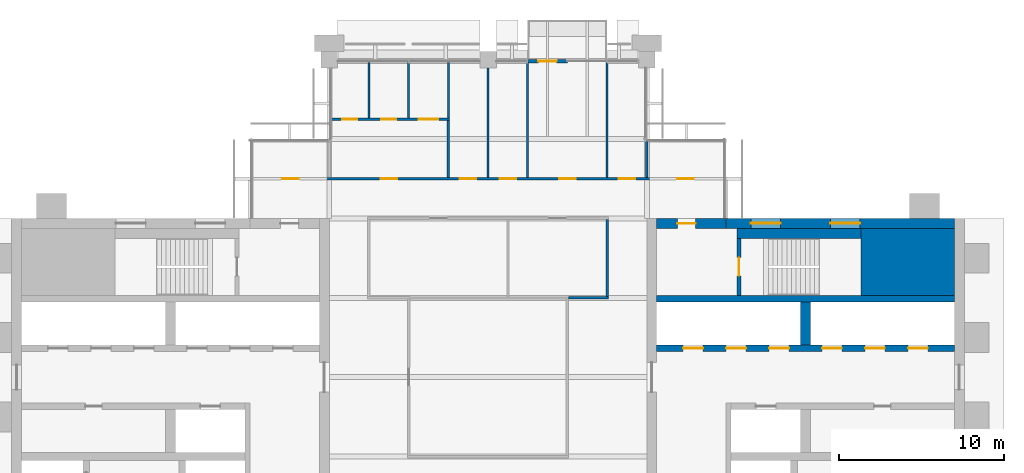
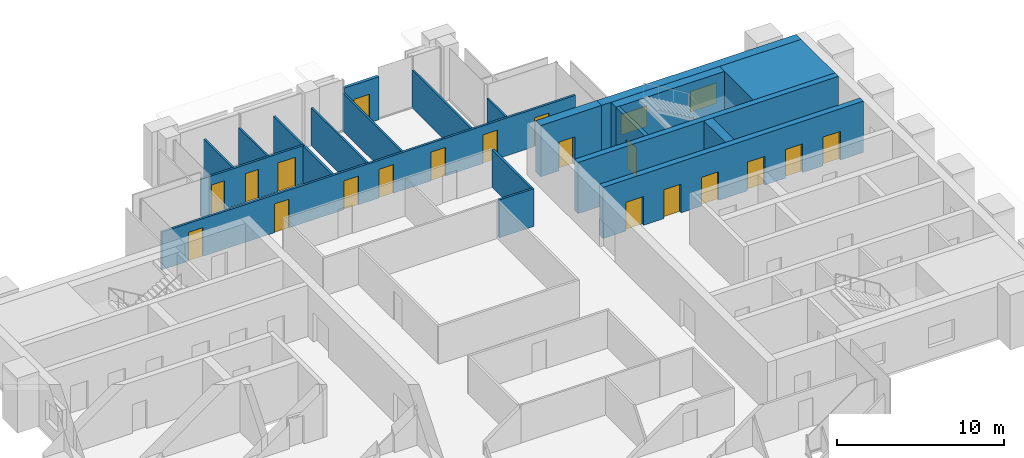
# One storey, part 11 of 13: 21 walls, 19 doors, 2 windows, 21 openings.
"""IFC4 building model written with IfcOpenShell, lengths in metres."""

from ifc_helpers import new_model, si_unit, direction, frame, frame_2d, origin, place, context, subcontext, project, spatial, rectangle, extrude, material, layer, layer_set, type_object, element, fill, save


model = new_model("IFC4")

# Units and contexts
model_context = context("Model", 3, precision=1e-05, world=origin(), true_north=direction((0.0, 1.0)))
body_context = subcontext(model_context, "Body", "Model", "MODEL_VIEW")
ifc_project = project(units=[si_unit("LENGTHUNIT", "METRE"), si_unit("AREAUNIT", "SQUARE_METRE"), si_unit("VOLUMEUNIT", "CUBIC_METRE"), si_unit("PLANEANGLEUNIT", "RADIAN"), si_unit("MASSUNIT", "GRAM", prefix="KILO")], contexts=[model_context])

# Site, building, storey
site_placement = place(None, origin())
site = spatial("IfcSite", under=ifc_project, at=site_placement, CompositionType="ELEMENT")
building_placement = place(site_placement, origin())
building = spatial("IfcBuilding", under=site, at=building_placement, Name="Baori Bourse Tower", CompositionType="ELEMENT")
storey_placement = place(building_placement, frame((0.0, 0.0, 350.300048828125)))
storey = spatial("IfcBuildingStorey", under=building, at=storey_placement, Name="L78", CompositionType="ELEMENT", Elevation=350.300048828125)

# Wall
ifc_material_1 = material(Name="Concrete f'c 40 MPa", Category="concrete")
wall_type_1 = type_object("IfcWallType", Name="Core corner block f'c 40", PredefinedType="SHEAR", material=ifc_material_1)
wall_1_placement = place(storey_placement, frame((51.35009765625, 35.77490234375, 0.0), z_axis=(0.0, 0.0, 1.0), x_axis=(1.0, 0.0, 0.0)))
element("IfcWall", 1, at=wall_1_placement, inside=storey, type_object=wall_type_1, Name="Core wall E24", PredefinedType="SHEAR", context=body_context, shape_type="SweptSolid", body=[
    extrude(rectangle(XDim=5.64990234375, YDim=4.050048828125, at=frame_2d((2.824951171875, 0.0))), origin(), (0.0, 0.0, 1.0), 3.75),
])

# Wall, openings, windows
ifc_material_2 = material(Name="Concrete f'c 40 MPa", Category="concrete")
ifc_layer_1 = layer(ifc_material_2, 0.60009765625)
ifc_layer_set_1 = layer_set([ifc_layer_1], Name="Core wall 600 f'c 40")
wall_type_2 = type_object("IfcWallType", Name="Core wall 600 f'c 40", PredefinedType="SHEAR", material=ifc_layer_set_1)
wall_2_placement = place(storey_placement, frame((43.199951171875, 38.10009765625, 0.0), z_axis=(0.0, 0.0, 1.0), x_axis=(1.0, 0.0, 0.0)))
wall_2 = element("IfcWall", 2, at=wall_2_placement, inside=storey, type_object=wall_type_2, Name="Core wall E27", PredefinedType="SHEAR", context=body_context, shape_type="SweptSolid", body=[
    extrude(rectangle(XDim=13.800048828125, YDim=0.60009765625, at=frame_2d((6.89990234375, 0.0))), origin(), (0.0, 0.0, 1.0), 3.75),
])
opening_1_placement = place(wall_2_placement, frame((6.300048828125, 0.0, 0.89990234375)))
opening_1 = element("IfcOpeningElement", 3, at=opening_1_placement, cuts=wall_2, Name="Opening L78-KW205", PredefinedType="OPENING", context=body_context, shape_type="SweptSolid", body=[
    extrude(rectangle(XDim=1.800048828125, YDim=1.5, at=frame_2d((0.89990234375, 0.75))), frame((0.0, 0.31005859375, 0.0), z_axis=(0.0, -1.0, 0.0), x_axis=(1.0, 0.0, 0.0)), (0.0, 0.0, 1.0), 0.6201171875),
])
opening_2_placement = place(wall_2_placement, frame((1.5, 0.0, 0.89990234375)))
opening_2 = element("IfcOpeningElement", 4, at=opening_2_placement, cuts=wall_2, Name="Opening L78-KW206", PredefinedType="OPENING", context=body_context, shape_type="SweptSolid", body=[
    extrude(rectangle(XDim=1.800048828125, YDim=1.5, at=frame_2d((0.89990234375, 0.75))), frame((0.0, 0.31005859375, 0.0), z_axis=(0.0, -1.0, 0.0), x_axis=(1.0, 0.0, 0.0)), (0.0, 0.0, 1.0), 0.6201171875),
])
ifc_material_3 = material(Name="Pale anodised aluminium", Category="aluminium")
window_type = type_object("IfcWindowType", Name="Stair window 1800 x 1500", PartitioningType="SINGLE_PANEL", PredefinedType="WINDOW", material=ifc_material_3)
window_1_placement = place(opening_1_placement, origin())
window_1 = element("IfcWindow", 5, at=window_1_placement, inside=storey, type_object=window_type, Name="Stair window E L78 5", OverallHeight=1.5, OverallWidth=1.800048828125, PartitioningType="SINGLE_PANEL", PredefinedType="WINDOW", context=body_context, shape_type="SweptSolid", body=[
    extrude(rectangle(XDim=1.800048828125, YDim=1.5, at=frame_2d((0.89990234375, 0.75))), frame((0.0, 0.030029296875, 0.0), z_axis=(0.0, -1.0, 0.0), x_axis=(1.0, 0.0, 0.0)), (0.0, 0.0, 1.0), 0.06005859375),
])
fill(opening_1, window_1)
window_2_placement = place(opening_2_placement, origin())
window_2 = element("IfcWindow", 6, at=window_2_placement, inside=storey, type_object=window_type, Name="Stair window E L78 6", OverallHeight=1.5, OverallWidth=1.800048828125, PartitioningType="SINGLE_PANEL", PredefinedType="WINDOW", context=body_context, shape_type="SweptSolid", body=[
    extrude(rectangle(XDim=1.800048828125, YDim=1.5, at=frame_2d((0.89990234375, 0.75))), frame((0.0, 0.030029296875, 0.0), z_axis=(0.0, -1.0, 0.0), x_axis=(1.0, 0.0, 0.0)), (0.0, 0.0, 1.0), 0.06005859375),
])
fill(opening_2, window_2)

# Wall, opening, door
wall_3_placement = place(storey_placement, frame((39.0, 38.10009765625, 0.0), z_axis=(0.0, 0.0, 1.0), x_axis=(1.0, 0.0, 0.0)))
wall_3 = element("IfcWall", 7, at=wall_3_placement, inside=storey, type_object=wall_type_2, Name="Core wall E28", PredefinedType="SHEAR", context=body_context, shape_type="SweptSolid", body=[
    extrude(rectangle(XDim=4.199951171875, YDim=0.60009765625, at=frame_2d((2.10009765625, 0.0))), origin(), (0.0, 0.0, 1.0), 3.75),
])
opening_3_placement = place(wall_3_placement, frame((1.25, 0.0, 0.0)))
opening_3 = element("IfcOpeningElement", 8, at=opening_3_placement, cuts=wall_3, Name="Opening L78-D204", PredefinedType="OPENING", context=body_context, shape_type="SweptSolid", body=[
    extrude(rectangle(XDim=1.10009765625, YDim=2.10009765625, at=frame_2d((0.550048828125, 1.050048828125))), frame((0.0, 0.31005859375, 0.0), z_axis=(0.0, -1.0, 0.0), x_axis=(1.0, 0.0, 0.0)), (0.0, 0.0, 1.0), 0.6201171875),
])
ifc_material_4 = material(Name="Painted steel door", Category="steel")
door_type_1 = type_object("IfcDoorType", Name="Stair door 1100", OperationType="SINGLE_SWING_LEFT", PredefinedType="DOOR", material=ifc_material_4)
door_1_placement = place(opening_3_placement, origin())
door_1 = element("IfcDoor", 9, at=door_1_placement, inside=storey, type_object=door_type_1, Name="Stair vestibule door B E L78", OperationType="SINGLE_SWING_LEFT", OverallHeight=2.10009765625, OverallWidth=1.10009765625, PredefinedType="DOOR", context=body_context, shape_type="SweptSolid", body=[
    extrude(rectangle(XDim=1.10009765625, YDim=2.10009765625, at=frame_2d((0.550048828125, 1.050048828125))), frame((0.0, 0.02490234375, 0.0), z_axis=(0.0, -1.0, 0.0), x_axis=(1.0, 0.0, 0.0)), (0.0, 0.0, 1.0), 0.050048828125),
])
fill(opening_3, door_1)

# Wall
ifc_material_5 = material(Name="Gypsum board partition")
ifc_layer_2 = layer(ifc_material_5, 0.14990234375)
ifc_layer_set_2 = layer_set([ifc_layer_2], Name="Corridor partition 150")
wall_type_3 = type_object("IfcWallType", Name="Corridor partition 150", PredefinedType="PARTITIONING", material=ifc_layer_set_2)
wall_4_placement = place(storey_placement, frame((33.675048828125, 33.60009765625, 0.0), z_axis=(0.0, 0.0, 1.0), x_axis=(1.0, 0.0, 0.0)))
element("IfcWall", 10, at=wall_4_placement, inside=storey, type_object=wall_type_3, Name="Partition", PredefinedType="PARTITIONING", context=body_context, shape_type="SweptSolid", body=[
    extrude(rectangle(XDim=2.39990234375, YDim=0.14990234375, at=frame_2d((1.199951171875, 0.0))), origin(), (0.0, 0.0, 1.0), 2.75927734375),
])

# Wall, openings, doors
wall_5_placement = place(storey_placement, frame((14.5, 40.800048828125, 0.0), z_axis=(0.0, 0.0, 1.0), x_axis=(1.0, 0.0, 0.0)))
wall_5 = element("IfcWall", 11, at=wall_5_placement, inside=storey, type_object=wall_type_3, Name="Partition", PredefinedType="PARTITIONING", context=body_context, shape_type="SweptSolid", body=[
    extrude(rectangle(XDim=28.60009765625, YDim=0.14990234375, at=frame_2d((14.300048828125, 0.0))), origin(), (0.0, 0.0, 1.0), 2.75927734375),
])
opening_4_placement = place(wall_5_placement, frame((1.85009765625, 0.0, 0.0)))
opening_4 = element("IfcOpeningElement", 12, at=opening_4_placement, cuts=wall_5, Name="Opening L78-D11", PredefinedType="OPENING", context=body_context, shape_type="SweptSolid", body=[
    extrude(rectangle(XDim=1.0, YDim=2.10009765625, at=frame_2d((0.5, 1.050048828125))), frame((0.0, 0.0849609375, 0.0), z_axis=(0.0, -1.0, 0.0), x_axis=(1.0, 0.0, 0.0)), (0.0, 0.0, 1.0), 0.169921875),
])
opening_5_placement = place(wall_5_placement, frame((7.800048828125, 0.0, 0.0)))
opening_5 = element("IfcOpeningElement", 13, at=opening_5_placement, cuts=wall_5, Name="Opening L78-D12", PredefinedType="OPENING", context=body_context, shape_type="SweptSolid", body=[
    extrude(rectangle(XDim=1.0, YDim=2.10009765625, at=frame_2d((0.5, 1.050048828125))), frame((0.0, 0.0849609375, 0.0), z_axis=(0.0, -1.0, 0.0), x_axis=(1.0, 0.0, 0.0)), (0.0, 0.0, 1.0), 0.169921875),
])
opening_6_placement = place(wall_5_placement, frame((12.60009765625, 0.0, 0.0)))
opening_6 = element("IfcOpeningElement", 14, at=opening_6_placement, cuts=wall_5, Name="Opening L78-D13", PredefinedType="OPENING", context=body_context, shape_type="SweptSolid", body=[
    extrude(rectangle(XDim=1.0, YDim=2.10009765625, at=frame_2d((0.5, 1.050048828125))), frame((0.0, 0.0849609375, 0.0), z_axis=(0.0, -1.0, 0.0), x_axis=(1.0, 0.0, 0.0)), (0.0, 0.0, 1.0), 0.169921875),
])
opening_7_placement = place(wall_5_placement, frame((15.0, 0.0, 0.0)))
opening_7 = element("IfcOpeningElement", 15, at=opening_7_placement, cuts=wall_5, Name="Opening L78-D14", PredefinedType="OPENING", context=body_context, shape_type="SweptSolid", body=[
    extrude(rectangle(XDim=1.0, YDim=2.10009765625, at=frame_2d((0.5, 1.050048828125))), frame((0.0, 0.0849609375, 0.0), z_axis=(0.0, -1.0, 0.0), x_axis=(1.0, 0.0, 0.0)), (0.0, 0.0, 1.0), 0.169921875),
])
opening_8_placement = place(wall_5_placement, frame((18.60009765625, 0.0, 0.0)))
opening_8 = element("IfcOpeningElement", 16, at=opening_8_placement, cuts=wall_5, Name="Opening L78-D15", PredefinedType="OPENING", context=body_context, shape_type="SweptSolid", body=[
    extrude(rectangle(XDim=1.0, YDim=2.10009765625, at=frame_2d((0.5, 1.050048828125))), frame((0.0, 0.0849609375, 0.0), z_axis=(0.0, -1.0, 0.0), x_axis=(1.0, 0.0, 0.0)), (0.0, 0.0, 1.0), 0.169921875),
])
opening_9_placement = place(wall_5_placement, frame((22.199951171875, 0.0, 0.0)))
opening_9 = element("IfcOpeningElement", 17, at=opening_9_placement, cuts=wall_5, Name="Opening L78-D16", PredefinedType="OPENING", context=body_context, shape_type="SweptSolid", body=[
    extrude(rectangle(XDim=1.0, YDim=2.10009765625, at=frame_2d((0.5, 1.050048828125))), frame((0.0, 0.0849609375, 0.0), z_axis=(0.0, -1.0, 0.0), x_axis=(1.0, 0.0, 0.0)), (0.0, 0.0, 1.0), 0.169921875),
])
opening_10_placement = place(wall_5_placement, frame((25.75, 0.0, 0.0)))
opening_10 = element("IfcOpeningElement", 18, at=opening_10_placement, cuts=wall_5, Name="Opening L78-D17", PredefinedType="OPENING", context=body_context, shape_type="SweptSolid", body=[
    extrude(rectangle(XDim=1.0, YDim=2.10009765625, at=frame_2d((0.5, 1.050048828125))), frame((0.0, 0.0849609375, 0.0), z_axis=(0.0, -1.0, 0.0), x_axis=(1.0, 0.0, 0.0)), (0.0, 0.0, 1.0), 0.169921875),
])
ifc_material_6 = material(Name="Timber door leaf", Category="wood")
door_type_2 = type_object("IfcDoorType", Name="Door 1000 x 2100", OperationType="SINGLE_SWING_LEFT", PredefinedType="DOOR", material=ifc_material_6)
door_2_placement = place(opening_4_placement, origin())
door_2 = element("IfcDoor", 19, at=door_2_placement, inside=storey, type_object=door_type_2, Name="Door", OperationType="SINGLE_SWING_RIGHT", OverallHeight=2.10009765625, OverallWidth=1.0, PredefinedType="DOOR", context=body_context, shape_type="SweptSolid", body=[
    extrude(rectangle(XDim=1.0, YDim=2.10009765625, at=frame_2d((0.5, 1.050048828125))), frame((0.0, 0.02490234375, 0.0), z_axis=(0.0, -1.0, 0.0), x_axis=(1.0, 0.0, 0.0)), (0.0, 0.0, 1.0), 0.050048828125),
])
fill(opening_4, door_2)
door_3_placement = place(opening_5_placement, origin())
door_3 = element("IfcDoor", 20, at=door_3_placement, inside=storey, type_object=door_type_2, Name="Door", OperationType="SINGLE_SWING_LEFT", OverallHeight=2.10009765625, OverallWidth=1.0, PredefinedType="DOOR", context=body_context, shape_type="SweptSolid", body=[
    extrude(rectangle(XDim=1.0, YDim=2.10009765625, at=frame_2d((0.5, 1.050048828125))), frame((0.0, 0.02490234375, 0.0), z_axis=(0.0, -1.0, 0.0), x_axis=(1.0, 0.0, 0.0)), (0.0, 0.0, 1.0), 0.050048828125),
])
fill(opening_5, door_3)
door_4_placement = place(opening_6_placement, origin())
door_4 = element("IfcDoor", 21, at=door_4_placement, inside=storey, type_object=door_type_2, Name="Door", OperationType="SINGLE_SWING_RIGHT", OverallHeight=2.10009765625, OverallWidth=1.0, PredefinedType="DOOR", context=body_context, shape_type="SweptSolid", body=[
    extrude(rectangle(XDim=1.0, YDim=2.10009765625, at=frame_2d((0.5, 1.050048828125))), frame((0.0, 0.02490234375, 0.0), z_axis=(0.0, -1.0, 0.0), x_axis=(1.0, 0.0, 0.0)), (0.0, 0.0, 1.0), 0.050048828125),
])
fill(opening_6, door_4)
door_5_placement = place(opening_7_placement, origin())
door_5 = element("IfcDoor", 22, at=door_5_placement, inside=storey, type_object=door_type_2, Name="Door", OperationType="SINGLE_SWING_LEFT", OverallHeight=2.10009765625, OverallWidth=1.0, PredefinedType="DOOR", context=body_context, shape_type="SweptSolid", body=[
    extrude(rectangle(XDim=1.0, YDim=2.10009765625, at=frame_2d((0.5, 1.050048828125))), frame((0.0, 0.02490234375, 0.0), z_axis=(0.0, -1.0, 0.0), x_axis=(1.0, 0.0, 0.0)), (0.0, 0.0, 1.0), 0.050048828125),
])
fill(opening_7, door_5)
door_6_placement = place(opening_8_placement, origin())
door_6 = element("IfcDoor", 23, at=door_6_placement, inside=storey, type_object=door_type_2, Name="Door", OperationType="SINGLE_SWING_LEFT", OverallHeight=2.10009765625, OverallWidth=1.0, PredefinedType="DOOR", context=body_context, shape_type="SweptSolid", body=[
    extrude(rectangle(XDim=1.0, YDim=2.10009765625, at=frame_2d((0.5, 1.050048828125))), frame((0.0, 0.02490234375, 0.0), z_axis=(0.0, -1.0, 0.0), x_axis=(1.0, 0.0, 0.0)), (0.0, 0.0, 1.0), 0.050048828125),
])
fill(opening_8, door_6)
door_7_placement = place(opening_9_placement, origin())
door_7 = element("IfcDoor", 24, at=door_7_placement, inside=storey, type_object=door_type_2, Name="Door", OperationType="SINGLE_SWING_LEFT", OverallHeight=2.10009765625, OverallWidth=1.0, PredefinedType="DOOR", context=body_context, shape_type="SweptSolid", body=[
    extrude(rectangle(XDim=1.0, YDim=2.10009765625, at=frame_2d((0.5, 1.050048828125))), frame((0.0, 0.02490234375, 0.0), z_axis=(0.0, -1.0, 0.0), x_axis=(1.0, 0.0, 0.0)), (0.0, 0.0, 1.0), 0.050048828125),
])
fill(opening_9, door_7)
door_8_placement = place(opening_10_placement, origin())
door_8 = element("IfcDoor", 25, at=door_8_placement, inside=storey, type_object=door_type_2, Name="Door", OperationType="SINGLE_SWING_LEFT", OverallHeight=2.10009765625, OverallWidth=1.0, PredefinedType="DOOR", context=body_context, shape_type="SweptSolid", body=[
    extrude(rectangle(XDim=1.0, YDim=2.10009765625, at=frame_2d((0.5, 1.050048828125))), frame((0.0, 0.02490234375, 0.0), z_axis=(0.0, -1.0, 0.0), x_axis=(1.0, 0.0, 0.0)), (0.0, 0.0, 1.0), 0.050048828125),
])
fill(opening_10, door_8)

wall_6_placement = place(storey_placement, frame((19.300048828125, 44.39990234375, 0.0), z_axis=(0.0, 0.0, 1.0), x_axis=(1.0, 0.0, 0.0)))
wall_6 = element("IfcWall", 26, at=wall_6_placement, inside=storey, type_object=wall_type_3, Name="Partition", PredefinedType="PARTITIONING", context=body_context, shape_type="SweptSolid", body=[
    extrude(rectangle(XDim=7.175048828125, YDim=0.14990234375, at=frame_2d((3.58740234375, 0.0))), origin(), (0.0, 0.0, 1.0), 2.75927734375),
])
opening_11_placement = place(wall_6_placement, frame((0.699951171875, 0.0, 0.0)))
opening_11 = element("IfcOpeningElement", 27, at=opening_11_placement, cuts=wall_6, Name="Opening L78-D18", PredefinedType="OPENING", context=body_context, shape_type="SweptSolid", body=[
    extrude(rectangle(XDim=0.89990234375, YDim=2.10009765625, at=frame_2d((0.449951171875, 1.050048828125))), frame((0.0, 0.0849609375, 0.0), z_axis=(0.0, -1.0, 0.0), x_axis=(1.0, 0.0, 0.0)), (0.0, 0.0, 1.0), 0.169921875),
])
opening_12_placement = place(wall_6_placement, frame((3.050048828125, 0.0, 0.0)))
opening_12 = element("IfcOpeningElement", 28, at=opening_12_placement, cuts=wall_6, Name="Opening L78-D19", PredefinedType="OPENING", context=body_context, shape_type="SweptSolid", body=[
    extrude(rectangle(XDim=0.89990234375, YDim=2.10009765625, at=frame_2d((0.449951171875, 1.050048828125))), frame((0.0, 0.0849609375, 0.0), z_axis=(0.0, -1.0, 0.0), x_axis=(1.0, 0.0, 0.0)), (0.0, 0.0, 1.0), 0.169921875),
])
opening_13_placement = place(wall_6_placement, frame((5.300048828125, 0.0, 0.0)))
opening_13 = element("IfcOpeningElement", 29, at=opening_13_placement, cuts=wall_6, Name="Opening L78-D20", PredefinedType="OPENING", context=body_context, shape_type="SweptSolid", body=[
    extrude(rectangle(XDim=1.199951171875, YDim=2.10009765625, at=frame_2d((0.60009765625, 1.050048828125))), frame((0.0, 0.0849609375, 0.0), z_axis=(0.0, -1.0, 0.0), x_axis=(1.0, 0.0, 0.0)), (0.0, 0.0, 1.0), 0.169921875),
])
ifc_material_7 = material(Name="Timber door leaf", Category="wood")
door_type_3 = type_object("IfcDoorType", Name="Door 1200 x 2100", OperationType="SINGLE_SWING_LEFT", PredefinedType="DOOR", material=ifc_material_7)
door_9_placement = place(opening_13_placement, origin())
door_9 = element("IfcDoor", 30, at=door_9_placement, inside=storey, type_object=door_type_3, Name="Door", OperationType="SINGLE_SWING_LEFT", OverallHeight=2.10009765625, OverallWidth=1.199951171875, PredefinedType="DOOR", context=body_context, shape_type="SweptSolid", body=[
    extrude(rectangle(XDim=1.199951171875, YDim=2.10009765625, at=frame_2d((0.60009765625, 1.050048828125))), frame((0.0, 0.02490234375, 0.0), z_axis=(0.0, -1.0, 0.0), x_axis=(1.0, 0.0, 0.0)), (0.0, 0.0, 1.0), 0.050048828125),
])
fill(opening_13, door_9)
ifc_material_8 = material(Name="Timber door leaf", Category="wood")
door_type_4 = type_object("IfcDoorType", Name="Door 900 x 2100", OperationType="SINGLE_SWING_LEFT", PredefinedType="DOOR", material=ifc_material_8)
door_10_placement = place(opening_11_placement, origin())
door_10 = element("IfcDoor", 31, at=door_10_placement, inside=storey, type_object=door_type_4, Name="Door", OperationType="SINGLE_SWING_RIGHT", OverallHeight=2.10009765625, OverallWidth=0.89990234375, PredefinedType="DOOR", context=body_context, shape_type="SweptSolid", body=[
    extrude(rectangle(XDim=0.89990234375, YDim=2.10009765625, at=frame_2d((0.449951171875, 1.050048828125))), frame((0.0, 0.02490234375, 0.0), z_axis=(0.0, -1.0, 0.0), x_axis=(1.0, 0.0, 0.0)), (0.0, 0.0, 1.0), 0.050048828125),
])
fill(opening_11, door_10)
door_11_placement = place(opening_12_placement, origin())
door_11 = element("IfcDoor", 32, at=door_11_placement, inside=storey, type_object=door_type_4, Name="Door", OperationType="SINGLE_SWING_RIGHT", OverallHeight=2.10009765625, OverallWidth=0.89990234375, PredefinedType="DOOR", context=body_context, shape_type="SweptSolid", body=[
    extrude(rectangle(XDim=0.89990234375, YDim=2.10009765625, at=frame_2d((0.449951171875, 1.050048828125))), frame((0.0, 0.02490234375, 0.0), z_axis=(0.0, -1.0, 0.0), x_axis=(1.0, 0.0, 0.0)), (0.0, 0.0, 1.0), 0.050048828125),
])
fill(opening_12, door_11)

# Walls
wall_7_placement = place(storey_placement, frame((26.39990234375, 40.875, 0.0), z_axis=(0.0, 0.0, 1.0), x_axis=(0.0, 1.0, 0.0)))
element("IfcWall", 33, at=wall_7_placement, inside=storey, type_object=wall_type_3, Name="Partition", PredefinedType="PARTITIONING", context=body_context, shape_type="SweptSolid", body=[
    extrude(rectangle(XDim=3.449951171875, YDim=0.14990234375, at=frame_2d((1.72509765625, 0.0))), origin(), (0.0, 0.0, 1.0), 2.75927734375),
])
wall_8_placement = place(storey_placement, frame((36.0, 33.675048828125, 0.0), z_axis=(0.0, 0.0, 1.0), x_axis=(0.0, 1.0, 0.0)))
element("IfcWall", 34, at=wall_8_placement, inside=storey, type_object=wall_type_3, Name="Partition", PredefinedType="PARTITIONING", context=body_context, shape_type="SweptSolid", body=[
    extrude(rectangle(XDim=4.64990234375, YDim=0.14990234375, at=frame_2d((2.324951171875, 0.0))), origin(), (0.0, 0.0, 1.0), 2.75927734375),
])

# Wall, opening, door
ifc_material_9 = material(Name="Pale anodised aluminium", Category="aluminium")
ifc_layer_3 = layer(ifc_material_9, 0.199951171875)
ifc_layer_set_3 = layer_set([ifc_layer_3], Name="EW1 External wall bay")
wall_type_4 = type_object("IfcWallType", Name="EW1 External wall bay", PredefinedType="SOLIDWALL", material=ifc_layer_set_3)
wall_9_placement = place(storey_placement, frame((33.60009765625, 47.89990234375, 0.0), z_axis=(0.0, 0.0, 1.0), x_axis=(-1.0, 0.0, 0.0)))
wall_9 = element("IfcWall", 35, at=wall_9_placement, inside=storey, type_object=wall_type_4, Name="External wall bay L78 1", PredefinedType="SOLIDWALL", context=body_context, shape_type="SweptSolid", body=[
    extrude(rectangle(XDim=2.400146484375, YDim=0.199951171875, at=frame_2d((1.2001953125, 0.0))), origin(), (0.0, 0.0, 1.0), 3.150390625),
])
opening_14_placement = place(wall_9_placement, frame((0.64990234375, 0.0, 0.0)))
opening_14 = element("IfcOpeningElement", 36, at=opening_14_placement, cuts=wall_9, Name="Opening L78-D91", PredefinedType="OPENING", context=body_context, shape_type="SweptSolid", body=[
    extrude(rectangle(XDim=1.10009765625, YDim=2.10009765625, at=frame_2d((0.550048828125, 1.050048828125))), frame((0.0, 0.10986328125, 0.0), z_axis=(0.0, -1.0, 0.0), x_axis=(1.0, 0.0, 0.0)), (0.0, 0.0, 1.0), 0.219970703125),
])
ifc_material_10 = material(Name="Pale anodised aluminium", Category="aluminium")
door_type_5 = type_object("IfcDoorType", Name="BL1 Balcony door", OperationType="SINGLE_SWING_LEFT", PredefinedType="DOOR", material=ifc_material_10)
door_12_placement = place(opening_14_placement, origin())
door_12 = element("IfcDoor", 37, at=door_12_placement, inside=storey, type_object=door_type_5, Name="Balcony door L78 1", OperationType="SINGLE_SWING_LEFT", OverallHeight=2.10009765625, OverallWidth=1.10009765625, PredefinedType="DOOR", context=body_context, shape_type="SweptSolid", body=[
    extrude(rectangle(XDim=1.10009765625, YDim=2.10009765625, at=frame_2d((0.550048828125, 1.050048828125))), frame((0.0, 0.02490234375, 0.0), z_axis=(0.0, -1.0, 0.0), x_axis=(1.0, 0.0, 0.0)), (0.0, 0.0, 1.0), 0.050048828125),
])
fill(opening_14, door_12)

# Walls
ifc_material_11 = material(Name="Gypsum board partition")
ifc_layer_4 = layer(ifc_material_11, 0.125)
ifc_layer_set_4 = layer_set([ifc_layer_4], Name="Partition 125")
wall_type_5 = type_object("IfcWallType", Name="Partition 125", PredefinedType="PARTITIONING", material=ifc_layer_set_4)
for number, where, z_axis, x_axis, name in (
    (38, (21.60009765625, 44.47509765625, 0.0), (0.0, 0.0, 1.0), (0.0, 1.0, 0.0), "Partition"),
    (39, (24.0, 44.47509765625, 0.0), (0.0, 0.0, 1.0), (0.0, 1.0, 0.0), "Partition"),
    (40, (26.39990234375, 44.47509765625, 0.0), (0.0, 0.0, 1.0), (0.0, 1.0, 0.0), "Partition"),
):
    element("IfcWall", number, at=place(storey_placement, frame(where, z_axis=z_axis, x_axis=x_axis)), inside=storey, type_object=wall_type_5, Name=name, PredefinedType="PARTITIONING", context=body_context, shape_type="SweptSolid", body=[
        extrude(rectangle(XDim=3.4248046875, YDim=0.125, at=frame_2d((1.71240234375, 0.0))), origin(), (0.0, 0.0, 1.0), 2.75927734375),
    ])
wall_10_placement = place(storey_placement, frame((28.800048828125, 40.875, 0.0), z_axis=(0.0, 0.0, 1.0), x_axis=(0.0, 1.0, 0.0)))
element("IfcWall", 41, at=wall_10_placement, inside=storey, type_object=wall_type_5, Name="Partition", PredefinedType="PARTITIONING", context=body_context, shape_type="SweptSolid", body=[
    extrude(rectangle(XDim=6.625, YDim=0.125, at=frame_2d((3.3125, 0.0))), origin(), (0.0, 0.0, 1.0), 2.75927734375),
])
for number, where, z_axis, x_axis, name in (
    (42, (31.199951171875, 40.875, 0.0), (0.0, 0.0, 1.0), (0.0, 1.0, 0.0), "Partition"),
    (43, (36.0, 40.875, 0.0), (0.0, 0.0, 1.0), (0.0, 1.0, 0.0), "Partition"),
):
    element("IfcWall", number, at=place(storey_placement, frame(where, z_axis=z_axis, x_axis=x_axis)), inside=storey, type_object=wall_type_5, Name=name, PredefinedType="PARTITIONING", context=body_context, shape_type="SweptSolid", body=[
        extrude(rectangle(XDim=7.02490234375, YDim=0.125, at=frame_2d((3.512451171875, 0.0))), origin(), (0.0, 0.0, 1.0), 2.75927734375),
    ])
wall_11_placement = place(storey_placement, frame((38.39990234375, 40.875, 0.0), z_axis=(0.0, 0.0, 1.0), x_axis=(0.0, 1.0, 0.0)))
element("IfcWall", 44, at=wall_11_placement, inside=storey, type_object=wall_type_5, Name="Partition", PredefinedType="PARTITIONING", context=body_context, shape_type="SweptSolid", body=[
    extrude(rectangle(XDim=2.22509765625, YDim=0.125, at=frame_2d((1.112548828125, 0.0))), origin(), (0.0, 0.0, 1.0), 2.75927734375),
])

# Wall, opening, door
ifc_material_12 = material(Name="Concrete f'c 40 MPa", Category="concrete")
ifc_layer_5 = layer(ifc_material_12, 0.25)
ifc_layer_set_5 = layer_set([ifc_layer_5], Name="Shaft wall 250 f'c 40")
wall_type_6 = type_object("IfcWallType", Name="Shaft wall 250 f'c 40", PredefinedType="SHEAR", material=ifc_layer_set_5)
wall_12_placement = place(storey_placement, frame((43.97509765625, 33.75, 0.0), z_axis=(0.0, 0.0, 1.0), x_axis=(0.0, 1.0, 0.0)))
wall_12 = element("IfcWall", 45, at=wall_12_placement, inside=storey, type_object=wall_type_6, Name="Core wall E25", PredefinedType="SHEAR", context=body_context, shape_type="SweptSolid", body=[
    extrude(rectangle(XDim=3.449951171875, YDim=0.25, at=frame_2d((1.72509765625, 0.0))), origin(), (0.0, 0.0, 1.0), 3.75),
])
opening_15_placement = place(wall_12_placement, frame((1.175048828125, 0.0, 0.0)))
opening_15 = element("IfcOpeningElement", 46, at=opening_15_placement, cuts=wall_12, Name="Opening L78-D203", PredefinedType="OPENING", context=body_context, shape_type="SweptSolid", body=[
    extrude(rectangle(XDim=1.10009765625, YDim=2.10009765625, at=frame_2d((0.550048828125, 1.050048828125))), frame((0.0, 0.135009765625, 0.0), z_axis=(0.0, -1.0, 0.0), x_axis=(1.0, 0.0, 0.0)), (0.0, 0.0, 1.0), 0.27001953125),
])
door_13_placement = place(opening_15_placement, origin())
door_13 = element("IfcDoor", 47, at=door_13_placement, inside=storey, type_object=door_type_1, Name="Stair door B E L78", OperationType="SINGLE_SWING_LEFT", OverallHeight=2.10009765625, OverallWidth=1.10009765625, PredefinedType="DOOR", context=body_context, shape_type="SweptSolid", body=[
    extrude(rectangle(XDim=1.10009765625, YDim=2.10009765625, at=frame_2d((0.550048828125, 1.050048828125))), frame((0.0, 0.02490234375, 0.0), z_axis=(0.0, -1.0, 0.0), x_axis=(1.0, 0.0, 0.0)), (0.0, 0.0, 1.0), 0.050048828125),
])
fill(opening_15, door_13)

# Wall, openings, doors
ifc_material_13 = material(Name="Concrete f'c 40 MPa", Category="concrete")
ifc_layer_6 = layer(ifc_material_13, 0.39990234375)
ifc_layer_set_6 = layer_set([ifc_layer_6], Name="Shaft wall 400 f'c 40")
wall_type_7 = type_object("IfcWallType", Name="Shaft wall 400 f'c 40", PredefinedType="SHEAR", material=ifc_layer_set_6)
wall_13_placement = place(storey_placement, frame((39.0, 30.550048828125, 0.0), z_axis=(0.0, 0.0, 1.0), x_axis=(1.0, 0.0, 0.0)))
wall_13 = element("IfcWall", 48, at=wall_13_placement, inside=storey, type_object=wall_type_7, Name="Core wall E21", PredefinedType="SHEAR", context=body_context, shape_type="SweptSolid", body=[
    extrude(rectangle(XDim=18.0, YDim=0.39990234375, at=frame_2d((9.0, 0.0))), origin(), (0.0, 0.0, 1.0), 3.75),
])
opening_16_placement = place(wall_13_placement, frame((15.199951171875, 0.0, 0.0)))
opening_16 = element("IfcOpeningElement", 49, at=opening_16_placement, cuts=wall_13, Name="Opening L78-D215", PredefinedType="OPENING", context=body_context, shape_type="SweptSolid", body=[
    extrude(rectangle(XDim=1.199951171875, YDim=2.10009765625, at=frame_2d((0.60009765625, 1.050048828125))), frame((0.0, 0.2099609375, 0.0), z_axis=(0.0, -1.0, 0.0), x_axis=(1.0, 0.0, 0.0)), (0.0, 0.0, 1.0), 0.419921875),
])
opening_17_placement = place(wall_13_placement, frame((12.60009765625, 0.0, 0.0)))
opening_17 = element("IfcOpeningElement", 50, at=opening_17_placement, cuts=wall_13, Name="Opening L78-D216", PredefinedType="OPENING", context=body_context, shape_type="SweptSolid", body=[
    extrude(rectangle(XDim=1.199951171875, YDim=2.10009765625, at=frame_2d((0.60009765625, 1.050048828125))), frame((0.0, 0.2099609375, 0.0), z_axis=(0.0, -1.0, 0.0), x_axis=(1.0, 0.0, 0.0)), (0.0, 0.0, 1.0), 0.419921875),
])
opening_18_placement = place(wall_13_placement, frame((10.0, 0.0, 0.0)))
opening_18 = element("IfcOpeningElement", 51, at=opening_18_placement, cuts=wall_13, Name="Opening L78-D217", PredefinedType="OPENING", context=body_context, shape_type="SweptSolid", body=[
    extrude(rectangle(XDim=1.199951171875, YDim=2.10009765625, at=frame_2d((0.60009765625, 1.050048828125))), frame((0.0, 0.2099609375, 0.0), z_axis=(0.0, -1.0, 0.0), x_axis=(1.0, 0.0, 0.0)), (0.0, 0.0, 1.0), 0.419921875),
])
opening_19_placement = place(wall_13_placement, frame((6.800048828125, 0.0, 0.0)))
opening_19 = element("IfcOpeningElement", 52, at=opening_19_placement, cuts=wall_13, Name="Opening L78-D218", PredefinedType="OPENING", context=body_context, shape_type="SweptSolid", body=[
    extrude(rectangle(XDim=1.199951171875, YDim=2.10009765625, at=frame_2d((0.60009765625, 1.050048828125))), frame((0.0, 0.2099609375, 0.0), z_axis=(0.0, -1.0, 0.0), x_axis=(1.0, 0.0, 0.0)), (0.0, 0.0, 1.0), 0.419921875),
])
opening_20_placement = place(wall_13_placement, frame((4.199951171875, 0.0, 0.0)))
opening_20 = element("IfcOpeningElement", 53, at=opening_20_placement, cuts=wall_13, Name="Opening L78-D219", PredefinedType="OPENING", context=body_context, shape_type="SweptSolid", body=[
    extrude(rectangle(XDim=1.199951171875, YDim=2.10009765625, at=frame_2d((0.60009765625, 1.050048828125))), frame((0.0, 0.2099609375, 0.0), z_axis=(0.0, -1.0, 0.0), x_axis=(1.0, 0.0, 0.0)), (0.0, 0.0, 1.0), 0.419921875),
])
opening_21_placement = place(wall_13_placement, frame((1.60009765625, 0.0, 0.0)))
opening_21 = element("IfcOpeningElement", 54, at=opening_21_placement, cuts=wall_13, Name="Opening L78-D220", PredefinedType="OPENING", context=body_context, shape_type="SweptSolid", body=[
    extrude(rectangle(XDim=1.199951171875, YDim=2.10009765625, at=frame_2d((0.60009765625, 1.050048828125))), frame((0.0, 0.2099609375, 0.0), z_axis=(0.0, -1.0, 0.0), x_axis=(1.0, 0.0, 0.0)), (0.0, 0.0, 1.0), 0.419921875),
])
ifc_material_14 = material(Name="Stainless steel door", Category="steel")
door_type_6 = type_object("IfcDoorType", Name="Lift landing door", OperationType="DOUBLE_DOOR_SLIDING", PredefinedType="DOOR", material=ifc_material_14)
door_14_placement = place(opening_16_placement, origin())
door_14 = element("IfcDoor", 55, at=door_14_placement, inside=storey, type_object=door_type_6, Name="Lift landing door HR1 E L78", OperationType="DOUBLE_DOOR_SLIDING", OverallHeight=2.10009765625, OverallWidth=1.199951171875, PredefinedType="DOOR", context=body_context, shape_type="SweptSolid", body=[
    extrude(rectangle(XDim=1.199951171875, YDim=2.10009765625, at=frame_2d((0.60009765625, 1.050048828125))), frame((0.0, 0.02490234375, 0.0), z_axis=(0.0, -1.0, 0.0), x_axis=(1.0, 0.0, 0.0)), (0.0, 0.0, 1.0), 0.050048828125),
])
fill(opening_16, door_14)
door_15_placement = place(opening_17_placement, origin())
door_15 = element("IfcDoor", 56, at=door_15_placement, inside=storey, type_object=door_type_6, Name="Lift landing door HR2 E L78", OperationType="DOUBLE_DOOR_SLIDING", OverallHeight=2.10009765625, OverallWidth=1.199951171875, PredefinedType="DOOR", context=body_context, shape_type="SweptSolid", body=[
    extrude(rectangle(XDim=1.199951171875, YDim=2.10009765625, at=frame_2d((0.60009765625, 1.050048828125))), frame((0.0, 0.02490234375, 0.0), z_axis=(0.0, -1.0, 0.0), x_axis=(1.0, 0.0, 0.0)), (0.0, 0.0, 1.0), 0.050048828125),
])
fill(opening_17, door_15)
door_16_placement = place(opening_18_placement, origin())
door_16 = element("IfcDoor", 57, at=door_16_placement, inside=storey, type_object=door_type_6, Name="Lift landing door HR3 E L78", OperationType="DOUBLE_DOOR_SLIDING", OverallHeight=2.10009765625, OverallWidth=1.199951171875, PredefinedType="DOOR", context=body_context, shape_type="SweptSolid", body=[
    extrude(rectangle(XDim=1.199951171875, YDim=2.10009765625, at=frame_2d((0.60009765625, 1.050048828125))), frame((0.0, 0.02490234375, 0.0), z_axis=(0.0, -1.0, 0.0), x_axis=(1.0, 0.0, 0.0)), (0.0, 0.0, 1.0), 0.050048828125),
])
fill(opening_18, door_16)
door_17_placement = place(opening_19_placement, origin())
door_17 = element("IfcDoor", 58, at=door_17_placement, inside=storey, type_object=door_type_6, Name="Lift landing door HR4 E L78", OperationType="DOUBLE_DOOR_SLIDING", OverallHeight=2.10009765625, OverallWidth=1.199951171875, PredefinedType="DOOR", context=body_context, shape_type="SweptSolid", body=[
    extrude(rectangle(XDim=1.199951171875, YDim=2.10009765625, at=frame_2d((0.60009765625, 1.050048828125))), frame((0.0, 0.02490234375, 0.0), z_axis=(0.0, -1.0, 0.0), x_axis=(1.0, 0.0, 0.0)), (0.0, 0.0, 1.0), 0.050048828125),
])
fill(opening_19, door_17)
door_18_placement = place(opening_20_placement, origin())
door_18 = element("IfcDoor", 59, at=door_18_placement, inside=storey, type_object=door_type_6, Name="Lift landing door HR5 E L78", OperationType="DOUBLE_DOOR_SLIDING", OverallHeight=2.10009765625, OverallWidth=1.199951171875, PredefinedType="DOOR", context=body_context, shape_type="SweptSolid", body=[
    extrude(rectangle(XDim=1.199951171875, YDim=2.10009765625, at=frame_2d((0.60009765625, 1.050048828125))), frame((0.0, 0.02490234375, 0.0), z_axis=(0.0, -1.0, 0.0), x_axis=(1.0, 0.0, 0.0)), (0.0, 0.0, 1.0), 0.050048828125),
])
fill(opening_20, door_18)
door_19_placement = place(opening_21_placement, origin())
door_19 = element("IfcDoor", 60, at=door_19_placement, inside=storey, type_object=door_type_6, Name="Lift landing door HR6 E L78", OperationType="DOUBLE_DOOR_SLIDING", OverallHeight=2.10009765625, OverallWidth=1.199951171875, PredefinedType="DOOR", context=body_context, shape_type="SweptSolid", body=[
    extrude(rectangle(XDim=1.199951171875, YDim=2.10009765625, at=frame_2d((0.60009765625, 1.050048828125))), frame((0.0, 0.02490234375, 0.0), z_axis=(0.0, -1.0, 0.0), x_axis=(1.0, 0.0, 0.0)), (0.0, 0.0, 1.0), 0.050048828125),
])
fill(opening_21, door_19)

# Walls
wall_14_placement = place(storey_placement, frame((39.0, 33.550048828125, 0.0), z_axis=(0.0, 0.0, 1.0), x_axis=(1.0, 0.0, 0.0)))
element("IfcWall", 61, at=wall_14_placement, inside=storey, type_object=wall_type_7, Name="Core wall E23", PredefinedType="SHEAR", context=body_context, shape_type="SweptSolid", body=[
    extrude(rectangle(XDim=18.0, YDim=0.39990234375, at=frame_2d((9.0, 0.0))), origin(), (0.0, 0.0, 1.0), 3.75),
])
ifc_material_15 = material(Name="Concrete f'c 40 MPa", Category="concrete")
ifc_layer_7 = layer(ifc_material_15, 0.60009765625)
ifc_layer_set_7 = layer_set([ifc_layer_7], Name="Shaft wall 600 f'c 40")
wall_type_8 = type_object("IfcWallType", Name="Shaft wall 600 f'c 40", PredefinedType="SHEAR", material=ifc_layer_set_7)
wall_15_placement = place(storey_placement, frame((48.0, 30.75, 0.0), z_axis=(0.0, 0.0, 1.0), x_axis=(0.0, 1.0, 0.0)))
element("IfcWall", 62, at=wall_15_placement, inside=storey, type_object=wall_type_8, Name="Core wall E22", PredefinedType="SHEAR", context=body_context, shape_type="SweptSolid", body=[
    extrude(rectangle(XDim=2.60009765625, YDim=0.60009765625, at=frame_2d((1.300048828125, 0.0))), origin(), (0.0, 0.0, 1.0), 3.75),
])
wall_16_placement = place(storey_placement, frame((43.85009765625, 37.5, 0.0), z_axis=(0.0, 0.0, 1.0), x_axis=(1.0, 0.0, 0.0)))
element("IfcWall", 63, at=wall_16_placement, inside=storey, type_object=wall_type_8, Name="Core wall E26", PredefinedType="SHEAR", context=body_context, shape_type="SweptSolid", body=[
    extrude(rectangle(XDim=7.5, YDim=0.60009765625, at=frame_2d((3.75, 0.0))), origin(), (0.0, 0.0, 1.0), 3.75),
])

save(model, "model.ifc")
